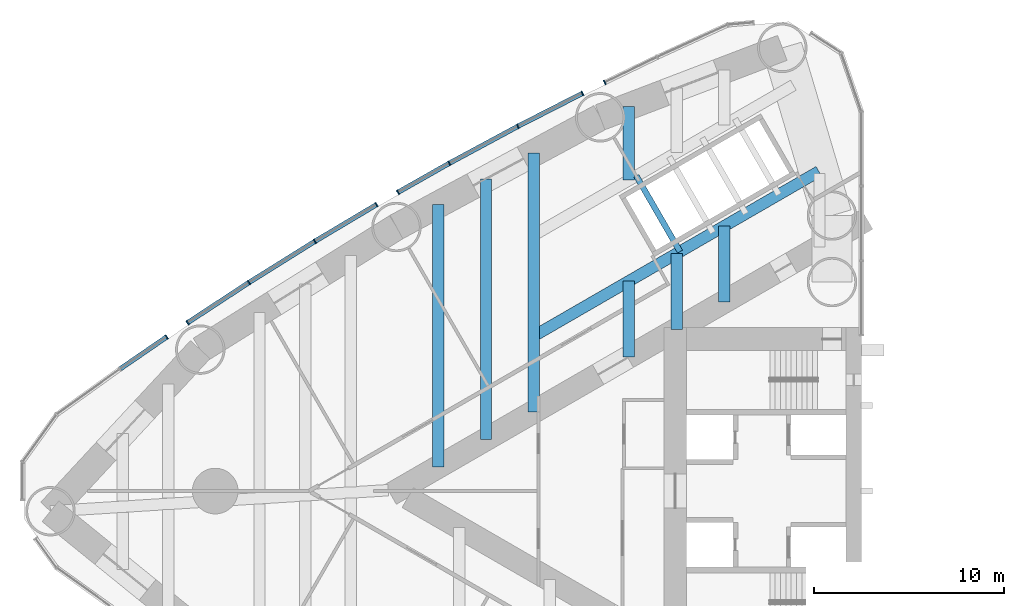
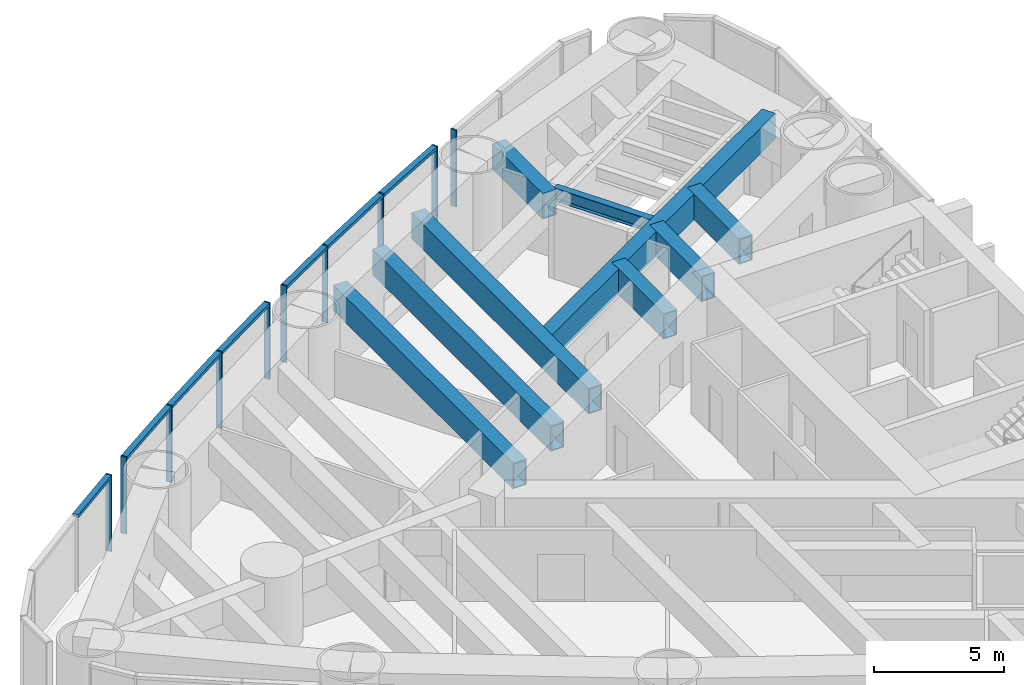
# One storey, part 4 of 16: 17 members, 9 beams, 4 elements without a shape of their own.
"""IFC4 building model written with IfcOpenShell, lengths in metres."""

from ifc_helpers import new_model, si_unit, direction, frame, origin, origin_2d, place, context, subcontext, project, spatial, rectangle, hollow_rectangle, i_section, extrude, material, material_profile, profile_set, type_object, element, aggregate, save


model = new_model("IFC4")

# Units and contexts
model_context = context("Model", 3, precision=1e-05, world=origin(), true_north=direction((0.0, 1.0)))
body_context = subcontext(model_context, "Body", "Model", "MODEL_VIEW")
ifc_project = project(units=[si_unit("LENGTHUNIT", "METRE"), si_unit("AREAUNIT", "SQUARE_METRE"), si_unit("VOLUMEUNIT", "CUBIC_METRE"), si_unit("PLANEANGLEUNIT", "RADIAN"), si_unit("MASSUNIT", "GRAM", prefix="KILO")], contexts=[model_context])

# Site, building, storey
site_placement = place(None, origin())
site = spatial("IfcSite", under=ifc_project, at=site_placement, CompositionType="ELEMENT")
building_placement = place(site_placement, origin())
building = spatial("IfcBuilding", under=site, at=building_placement, Name="Lancet Gate Hotel", CompositionType="ELEMENT")
storey_placement = place(building_placement, frame((0.0, 0.0, 143.10009765625)))
storey = spatial("IfcBuildingStorey", under=building, at=storey_placement, Name="L38", CompositionType="ELEMENT", Elevation=143.10009765625)

# Curtain wall, member
ifc_material_1 = material(Name="Aluminium curtain wall", Category="aluminium")
curtain_wall_type = type_object("IfcCurtainWallType", Name="Tower unitised curtain wall", PredefinedType="USERDEFINED", material=ifc_material_1)
curtain_wall_1_placement = place(storey_placement, origin())
curtain_wall_1 = element("IfcCurtainWall", 1, at=curtain_wall_1_placement, inside=storey, type_object=curtain_wall_type, Name="T1 L38 curtain wall 2", ObjectType="UNITISED CURTAIN WALL", PredefinedType="USERDEFINED")
ifc_material_2 = material(Name="Aluminium mullion", Category="aluminium")
ifc_material_profile_1 = material_profile(ifc_material_2, rectangle(XDim=0.06494140625, YDim=0.25, at=origin_2d()), Name="MULLION 65x250")
ifc_profile_set_1 = profile_set([ifc_material_profile_1], Name="Aluminium mullion")
member_type_1 = type_object("IfcMemberType", Name="Aluminium mullion 65x250", PredefinedType="MULLION", material=ifc_profile_set_1)
member_1_placement = place(storey_placement, frame((-41.008056640625, 21.50244140625, 0.0), z_axis=(0.0, 0.0, 1.0), x_axis=(-0.900081672047, -0.435721222395, 0.0)))
member_1 = element("IfcMember", 2, at=member_1_placement, type_object=member_type_1, Name="T1 L38 curtain wall 2 mullion 4", PredefinedType="MULLION", context=body_context, shape_type="SweptSolid", body=[
    extrude(rectangle(XDim=0.06494140625, YDim=0.25, at=origin_2d()), origin(), (0.0, 0.0, 1.0), 3.599853515625),
])
aggregate(curtain_wall_1, [member_1])

# Curtain wall, members
curtain_wall_2_placement = place(storey_placement, origin())
curtain_wall_2 = element("IfcCurtainWall", 3, at=curtain_wall_2_placement, inside=storey, type_object=curtain_wall_type, Name="T1 L38 curtain wall 3", ObjectType="UNITISED CURTAIN WALL", PredefinedType="USERDEFINED")
member_2_placement = place(storey_placement, frame((-42.182861328125, 20.927001953125, 0.0), z_axis=(0.0, 0.0, 1.0), x_axis=(-0.890493479451, -0.45499600334, 0.0)))
member_2 = element("IfcMember", 4, at=member_2_placement, type_object=member_type_1, Name="T1 L38 curtain wall 3 mullion 1", PredefinedType="MULLION", context=body_context, shape_type="SweptSolid", body=[
    extrude(rectangle(XDim=0.06494140625, YDim=0.25, at=origin_2d()), origin(), (0.0, 0.0, 1.0), 3.599853515625),
])
member_3_placement = place(storey_placement, frame((-45.578857421875, 19.19189453125, 0.0), z_axis=(0.0, 0.0, 1.0), x_axis=(-0.885368485126, -0.464889928418, 0.0)))
member_3 = element("IfcMember", 5, at=member_3_placement, type_object=member_type_1, Name="T1 L38 curtain wall 3 mullion 2", PredefinedType="MULLION", context=body_context, shape_type="SweptSolid", body=[
    extrude(rectangle(XDim=0.06494140625, YDim=0.25, at=origin_2d()), origin(), (0.0, 0.0, 1.0), 3.599853515625),
])
member_4_placement = place(storey_placement, frame((-49.181640625, 17.252197265625, 0.0), z_axis=(0.0, 0.0, 1.0), x_axis=(-0.87604701134, -0.482225708483, 0.0)))
member_4 = element("IfcMember", 6, at=member_4_placement, type_object=member_type_1, Name="T1 L38 curtain wall 3 mullion 3", PredefinedType="MULLION", context=body_context, shape_type="SweptSolid", body=[
    extrude(rectangle(XDim=0.06494140625, YDim=0.25, at=origin_2d()), origin(), (0.0, 0.0, 1.0), 3.599853515625),
])
member_5_placement = place(storey_placement, frame((-51.887939453125, 15.718994140625, 0.0), z_axis=(0.0, 0.0, 1.0), x_axis=(-0.870083629903, -0.49290412554, 0.0)))
member_5 = element("IfcMember", 7, at=member_5_placement, type_object=member_type_1, Name="T1 L38 curtain wall 3 mullion 4", PredefinedType="MULLION", context=body_context, shape_type="SweptSolid", body=[
    extrude(rectangle(XDim=0.06494140625, YDim=0.25, at=origin_2d()), origin(), (0.0, 0.0, 1.0), 3.599853515625),
])

curtain_wall_3_placement = place(storey_placement, origin())
curtain_wall_3 = element("IfcCurtainWall", 8, at=curtain_wall_3_placement, inside=storey, type_object=curtain_wall_type, Name="T1 L38 curtain wall 4", ObjectType="UNITISED CURTAIN WALL", PredefinedType="USERDEFINED")
member_6_placement = place(storey_placement, frame((-53.01171875, 15.07470703125, 0.0), z_axis=(0.0, 0.0, 1.0), x_axis=(-0.859271431916, -0.511519898238, 0.0)))
member_6 = element("IfcMember", 9, at=member_6_placement, type_object=member_type_1, Name="T1 L38 curtain wall 4 mullion 1", PredefinedType="MULLION", context=body_context, shape_type="SweptSolid", body=[
    extrude(rectangle(XDim=0.06494140625, YDim=0.25, at=origin_2d()), origin(), (0.0, 0.0, 1.0), 3.599853515625),
])
member_7_placement = place(storey_placement, frame((-56.257568359375, 13.142333984375, 0.0), z_axis=(0.0, 0.0, 1.0), x_axis=(-0.853491766052, -0.521106328192, 0.0)))
member_7 = element("IfcMember", 10, at=member_7_placement, type_object=member_type_1, Name="T1 L38 curtain wall 4 mullion 2", PredefinedType="MULLION", context=body_context, shape_type="SweptSolid", body=[
    extrude(rectangle(XDim=0.06494140625, YDim=0.25, at=origin_2d()), origin(), (0.0, 0.0, 1.0), 3.599853515625),
])
member_8_placement = place(storey_placement, frame((-59.7275390625, 10.974365234375, 0.0), z_axis=(0.0, 0.0, 1.0), x_axis=(-0.842478010334, -0.538730732467, 0.0)))
member_8 = element("IfcMember", 11, at=member_8_placement, type_object=member_type_1, Name="T1 L38 curtain wall 4 mullion 3", PredefinedType="MULLION", context=body_context, shape_type="SweptSolid", body=[
    extrude(rectangle(XDim=0.06494140625, YDim=0.25, at=origin_2d()), origin(), (0.0, 0.0, 1.0), 3.599853515625),
])
member_9_placement = place(storey_placement, frame((-62.955078125, 8.859619140625, 0.0), z_axis=(0.0, 0.0, 1.0), x_axis=(-0.836457541791, -0.54803173337, 0.0)))
member_9 = element("IfcMember", 12, at=member_9_placement, type_object=member_type_1, Name="T1 L38 curtain wall 4 mullion 4", PredefinedType="MULLION", context=body_context, shape_type="SweptSolid", body=[
    extrude(rectangle(XDim=0.06494140625, YDim=0.25, at=origin_2d()), origin(), (0.0, 0.0, 1.0), 3.599853515625),
])

# Curtain wall, member
curtain_wall_4_placement = place(storey_placement, origin())
curtain_wall_4 = element("IfcCurtainWall", 13, at=curtain_wall_4_placement, inside=storey, type_object=curtain_wall_type, Name="T1 L38 curtain wall 5", ObjectType="UNITISED CURTAIN WALL", PredefinedType="USERDEFINED")
member_10_placement = place(storey_placement, frame((-64.05029296875, 8.11376953125, 0.0), z_axis=(0.0, 0.0, 1.0), x_axis=(-0.824466422775, -0.565910874357, 0.0)))
member_10 = element("IfcMember", 14, at=member_10_placement, type_object=member_type_1, Name="T1 L38 curtain wall 5 mullion 1", PredefinedType="MULLION", context=body_context, shape_type="SweptSolid", body=[
    extrude(rectangle(XDim=0.06494140625, YDim=0.25, at=origin_2d()), origin(), (0.0, 0.0, 1.0), 3.599853515625),
])

# Member
ifc_material_3 = material(Name="Aluminium transom", Category="aluminium")
ifc_material_profile_2 = material_profile(ifc_material_3, rectangle(XDim=0.25, YDim=0.14990234375, at=origin_2d()), Name="TRANSOM 250x150")
ifc_profile_set_2 = profile_set([ifc_material_profile_2], Name="Aluminium transom")
member_type_2 = type_object("IfcMemberType", Name="Aluminium transom 250x150", PredefinedType="USERDEFINED", material=ifc_profile_set_2)
member_11_placement = place(storey_placement, frame((-42.211669921875, 20.912353515625, 3.52490234375), z_axis=(-0.890485698611, -0.455011231256, 0.0), x_axis=(0.455011231256, -0.890485698611, 0.0)))
member_11 = element("IfcMember", 15, at=member_11_placement, type_object=member_type_2, Name="T1 L38 curtain wall 3 transom 1", ObjectType="TRANSOM", PredefinedType="USERDEFINED", context=body_context, shape_type="SweptSolid", body=[
    extrude(rectangle(XDim=0.25, YDim=0.14990234375, at=origin_2d()), origin(), (0.0, 0.0, 1.0), 3.7490234375),
])

member_12_placement = place(storey_placement, frame((-45.607421875, 19.176513671875, 3.52490234375), z_axis=(-0.880498353192, -0.474049206335, 0.0), x_axis=(0.474049206335, -0.880498353192, 0.0)))
member_12 = element("IfcMember", 16, at=member_12_placement, type_object=member_type_2, Name="T1 L38 curtain wall 3 transom 2", ObjectType="TRANSOM", PredefinedType="USERDEFINED", context=body_context, shape_type="SweptSolid", body=[
    extrude(rectangle(XDim=0.25, YDim=0.14990234375, at=origin_2d()), origin(), (0.0, 0.0, 1.0), 4.02685546875),
])

member_13_placement = place(storey_placement, frame((-49.2099609375, 17.236083984375, 3.52490234375), z_axis=(-0.870092098854, -0.492889175689, 0.0), x_axis=(0.492889175689, -0.870092098854, 0.0)))
member_13 = element("IfcMember", 17, at=member_13_placement, type_object=member_type_2, Name="T1 L38 curtain wall 3 transom 3", ObjectType="TRANSOM", PredefinedType="USERDEFINED", context=body_context, shape_type="SweptSolid", body=[
    extrude(rectangle(XDim=0.25, YDim=0.14990234375, at=origin_2d()), origin(), (0.0, 0.0, 1.0), 3.045166015625),
])

aggregate(curtain_wall_2, [member_2, member_3, member_4, member_5, member_11, member_12, member_13])

member_14_placement = place(storey_placement, frame((-53.03955078125, 15.05810546875, 3.52490234375), z_axis=(-0.859274990737, -0.511513919941, 0.0), x_axis=(0.511513919941, -0.859274990737, 0.0)))
member_14 = element("IfcMember", 18, at=member_14_placement, type_object=member_type_2, Name="T1 L38 curtain wall 4 transom 1", ObjectType="TRANSOM", PredefinedType="USERDEFINED", context=body_context, shape_type="SweptSolid", body=[
    extrude(rectangle(XDim=0.25, YDim=0.14990234375, at=origin_2d()), origin(), (0.0, 0.0, 1.0), 3.71240234375),
])

member_15_placement = place(storey_placement, frame((-56.28515625, 13.125244140625, 3.52490234375), z_axis=(-0.848049393821, -0.529917187531, 0.0), x_axis=(0.529917187531, -0.848049393821, 0.0)))
member_15 = element("IfcMember", 19, at=member_15_placement, type_object=member_type_2, Name="T1 L38 curtain wall 4 transom 2", ObjectType="TRANSOM", PredefinedType="USERDEFINED", context=body_context, shape_type="SweptSolid", body=[
    extrude(rectangle(XDim=0.25, YDim=0.14990234375, at=origin_2d()), origin(), (0.0, 0.0, 1.0), 4.026611328125),
])

member_16_placement = place(storey_placement, frame((-59.754638671875, 10.95654296875, 3.52490234375), z_axis=(-0.836459095123, -0.548029362522, 0.0), x_axis=(0.548029362522, -0.836459095123, 0.0)))
member_16 = element("IfcMember", 20, at=member_16_placement, type_object=member_type_2, Name="T1 L38 curtain wall 4 transom 3", ObjectType="TRANSOM", PredefinedType="USERDEFINED", context=body_context, shape_type="SweptSolid", body=[
    extrude(rectangle(XDim=0.25, YDim=0.14990234375, at=origin_2d()), origin(), (0.0, 0.0, 1.0), 3.793701171875),
])

aggregate(curtain_wall_3, [member_6, member_7, member_8, member_9, member_14, member_15, member_16])

member_17_placement = place(storey_placement, frame((-64.0771484375, 8.095458984375, 3.52490234375), z_axis=(-0.824473774835, -0.565900163111, 0.0), x_axis=(0.565900163111, -0.824473774835, 0.0)))
member_17 = element("IfcMember", 21, at=member_17_placement, type_object=member_type_2, Name="T1 L38 curtain wall 5 transom 1", ObjectType="TRANSOM", PredefinedType="USERDEFINED", context=body_context, shape_type="SweptSolid", body=[
    extrude(rectangle(XDim=0.25, YDim=0.14990234375, at=origin_2d()), origin(), (0.0, 0.0, 1.0), 2.9345703125),
])

aggregate(curtain_wall_4, [member_10, member_17])

# Beams
ifc_material_4 = material(Name="Steel S355", Category="steel")
ifc_material_profile_3 = material_profile(ifc_material_4, i_section(OverallWidth=0.3046875, OverallDepth=0.6123046875, WebThickness=0.01171875, FlangeThickness=0.019775390625, FilletRadius=0.0166015625, at=origin_2d()), Name="UKB 610x305x149")
ifc_profile_set_3 = profile_set([ifc_material_profile_3], Name="Steel S355")
beam_type_1 = type_object("IfcBeamType", Name="Lift lifting beam UKB 610x305x149", PredefinedType="BEAM", material=ifc_profile_set_3)
beam_1_placement = place(storey_placement, frame((-37.045166015625, 12.599609375, 3.043701171875), z_axis=(-0.499935336794, 0.866062733885, 0.0), x_axis=(-0.866062733885, -0.499935336794, 0.0)))
element("IfcBeam", 22, at=beam_1_placement, inside=storey, type_object=beam_type_1, Name="T1 lifting beam LR4", PredefinedType="BEAM", context=body_context, shape_type="SweptSolid", body=[
    extrude(i_section(OverallWidth=0.3046875, OverallDepth=0.6123046875, WebThickness=0.01171875, FlangeThickness=0.019775390625, FilletRadius=0.0166015625, at=origin_2d()), origin(), (0.0, 0.0, 1.0), 4.599609375),
])
ifc_material_5 = material(Name="Steel S460QL", Category="steel")
ifc_material_profile_4 = material_profile(ifc_material_5, hollow_rectangle(XDim=0.60009765625, YDim=1.199951171875, WallThickness=0.050048828125, at=origin_2d()), Name="BOX 1200x600x50")
ifc_profile_set_4 = profile_set([ifc_material_profile_4], Name="Steel S460QL")
beam_type_2 = type_object("IfcBeamType", Name="Refuge floor beam BOX 1200x600x50", PredefinedType="BEAM", material=ifc_profile_set_4)
beam_2_placement = place(storey_placement, frame((-44.747802734375, 17.77978515625, 2.75), z_axis=(0.0, -1.0, 0.0), x_axis=(1.0, 0.0, 0.0)))
element("IfcBeam", 23, at=beam_2_placement, inside=storey, type_object=beam_type_2, Name="T1 floor beam F09S L38", PredefinedType="BEAM", context=body_context, shape_type="SweptSolid", body=[
    extrude(hollow_rectangle(XDim=0.60009765625, YDim=1.199951171875, WallThickness=0.050048828125, at=origin_2d()), origin(), (0.0, 0.0, 1.0), 13.611083984375),
])
beam_3_placement = place(storey_placement, frame((-47.254638671875, 16.43017578125, 2.75), z_axis=(0.0, -1.0, 0.0), x_axis=(1.0, 0.0, 0.0)))
element("IfcBeam", 24, at=beam_3_placement, inside=storey, type_object=beam_type_2, Name="T1 floor beam F10S L38", PredefinedType="BEAM", context=body_context, shape_type="SweptSolid", body=[
    extrude(hollow_rectangle(XDim=0.60009765625, YDim=1.199951171875, WallThickness=0.050048828125, at=origin_2d()), origin(), (0.0, 0.0, 1.0), 13.708740234375),
])
beam_4_placement = place(storey_placement, frame((-49.761474609375, 15.08056640625, 2.75), z_axis=(0.0, -1.0, 0.0), x_axis=(1.0, 0.0, 0.0)))
element("IfcBeam", 25, at=beam_4_placement, inside=storey, type_object=beam_type_2, Name="T1 floor beam F12S L38", PredefinedType="BEAM", context=body_context, shape_type="SweptSolid", body=[
    extrude(hollow_rectangle(XDim=0.60009765625, YDim=1.199951171875, WallThickness=0.050048828125, at=origin_2d()), origin(), (0.0, 0.0, 1.0), 13.806396484375),
])
beam_5_placement = place(storey_placement, frame((-34.720458984375, 13.94189453125, 2.75), z_axis=(0.0, -1.0, 0.0), x_axis=(1.0, 0.0, 0.0)))
element("IfcBeam", 26, at=beam_5_placement, inside=storey, type_object=beam_type_2, Name="T1 floor beam F04SB L38", PredefinedType="BEAM", context=body_context, shape_type="SweptSolid", body=[
    extrude(hollow_rectangle(XDim=0.60009765625, YDim=1.199951171875, WallThickness=0.050048828125, at=origin_2d()), origin(), (0.0, 0.0, 1.0), 3.98388671875),
])
beam_6_placement = place(storey_placement, frame((-37.227294921875, 12.494384765625, 2.75), z_axis=(0.0, -1.0, 0.0), x_axis=(1.0, 0.0, 0.0)))
element("IfcBeam", 27, at=beam_6_placement, inside=storey, type_object=beam_type_2, Name="T1 floor beam F05SB L38", PredefinedType="BEAM", context=body_context, shape_type="SweptSolid", body=[
    extrude(hollow_rectangle(XDim=0.60009765625, YDim=1.199951171875, WallThickness=0.050048828125, at=origin_2d()), origin(), (0.0, 0.0, 1.0), 3.983642578125),
])
beam_7_placement = place(storey_placement, frame((-39.734130859375, 20.24169921875, 2.75), z_axis=(0.0, -1.0, 0.0), x_axis=(1.0, 0.0, 0.0)))
element("IfcBeam", 28, at=beam_7_placement, inside=storey, type_object=beam_type_2, Name="T1 floor beam F07SA L38", PredefinedType="BEAM", context=body_context, shape_type="SweptSolid", body=[
    extrude(hollow_rectangle(XDim=0.60009765625, YDim=1.199951171875, WallThickness=0.050048828125, at=origin_2d()), origin(), (0.0, 0.0, 1.0), 3.88330078125),
])
beam_8_placement = place(storey_placement, frame((-39.734130859375, 11.046875, 2.75), z_axis=(0.0, -1.0, 0.0), x_axis=(1.0, 0.0, 0.0)))
element("IfcBeam", 29, at=beam_8_placement, inside=storey, type_object=beam_type_2, Name="T1 floor beam F07SB L38", PredefinedType="BEAM", context=body_context, shape_type="SweptSolid", body=[
    extrude(hollow_rectangle(XDim=0.60009765625, YDim=1.199951171875, WallThickness=0.050048828125, at=origin_2d()), origin(), (0.0, 0.0, 1.0), 3.9833984375),
])
ifc_material_6 = material(Name="Steel S460QL", Category="steel")
ifc_material_profile_5 = material_profile(ifc_material_6, hollow_rectangle(XDim=0.60009765625, YDim=1.199951171875, WallThickness=0.050048828125, at=origin_2d()), Name="BOX 1200x600x50")
ifc_profile_set_5 = profile_set([ifc_material_profile_5], Name="Steel S460QL")
beam_type_3 = type_object("IfcBeamType", Name="Trimmer beam BOX 1200x600x50", PredefinedType="BEAM", material=ifc_profile_set_5)
beam_9_placement = place(storey_placement, frame((-29.737548828125, 16.819091796875, 2.75), z_axis=(-0.86599886665, -0.500045960849, 0.0), x_axis=(0.500045960849, -0.86599886665, 0.0)))
element("IfcBeam", 30, at=beam_9_placement, inside=storey, type_object=beam_type_3, Name="T1 trimmer beam TR02S L38", PredefinedType="BEAM", context=body_context, shape_type="SweptSolid", body=[
    extrude(hollow_rectangle(XDim=0.60009765625, YDim=1.199951171875, WallThickness=0.050048828125, at=origin_2d()), origin(), (0.0, 0.0, 1.0), 17.332763671875),
])

save(model, "model.ifc")
